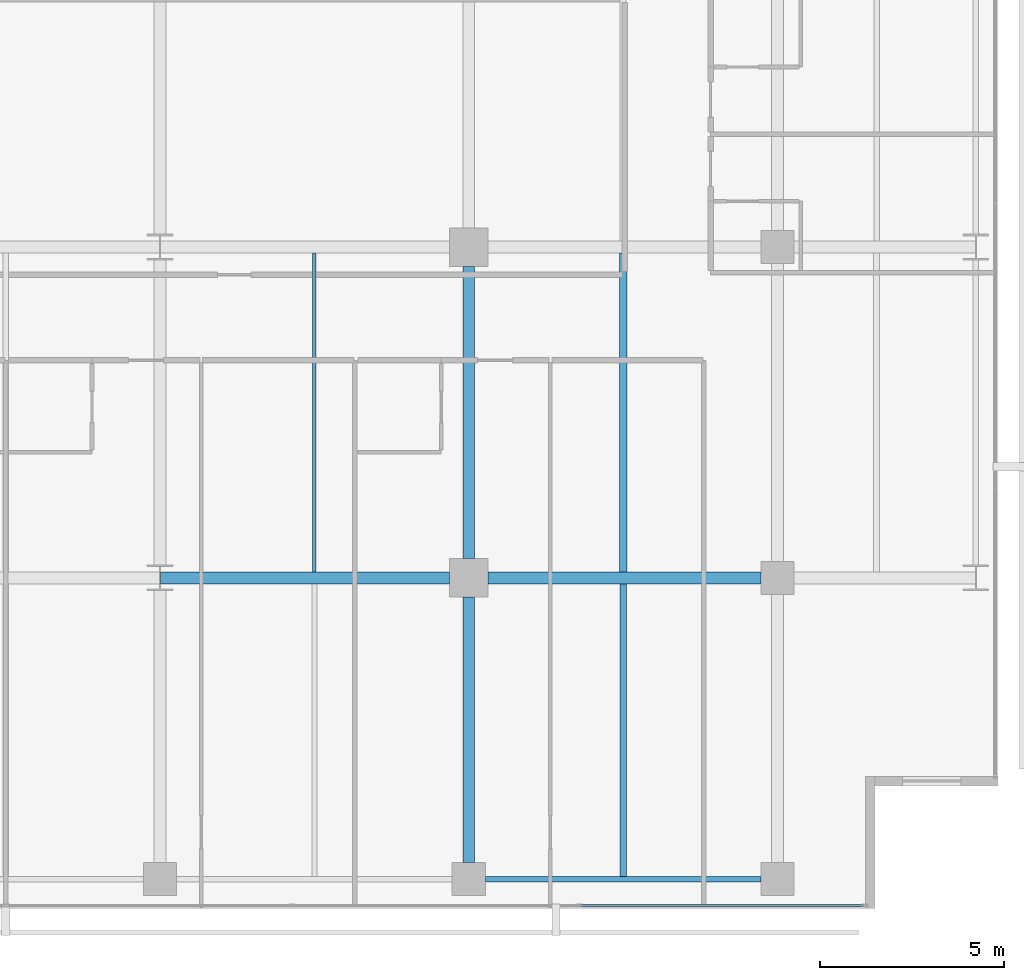
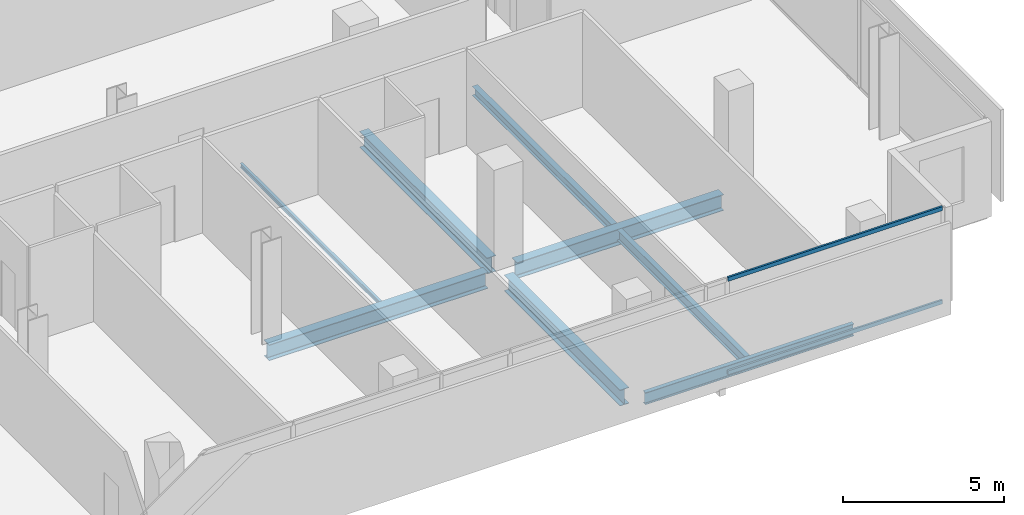
# One storey, part 15 of 40: 8 beams, 2 members, 1 element without a shape of its own.
"""IFC4 building model written with IfcOpenShell, lengths in metres."""

from ifc_helpers import new_model, si_unit, direction, frame, origin, origin_2d, place, context, subcontext, project, spatial, hollow_rectangle, i_section, extrude, material, layer, layer_set, material_profile, profile_set, type_object, element, aggregate, save


model = new_model("IFC4")

# Units and contexts
model_context = context("Model", 3, precision=1e-05, world=origin(), true_north=direction((0.0, 1.0)))
body_context = subcontext(model_context, "Body", "Model", "MODEL_VIEW")
ifc_project = project(units=[si_unit("LENGTHUNIT", "METRE"), si_unit("AREAUNIT", "SQUARE_METRE"), si_unit("VOLUMEUNIT", "CUBIC_METRE"), si_unit("PLANEANGLEUNIT", "RADIAN"), si_unit("MASSUNIT", "GRAM", prefix="KILO")], contexts=[model_context])

# Site, building, storey
site_placement = place(None, origin())
site = spatial("IfcSite", under=ifc_project, at=site_placement, CompositionType="ELEMENT")
building_placement = place(site_placement, origin())
building = spatial("IfcBuilding", under=site, at=building_placement, Name="Maruvema Waterfront Hotel and Observation Tower", CompositionType="ELEMENT")
storey_placement = place(building_placement, frame((0.0, 0.0, 100.10009765625)))
storey = spatial("IfcBuildingStorey", under=building, at=storey_placement, Name="L24", CompositionType="ELEMENT", Elevation=100.10009765625)

# Curtain wall, members
ifc_material_1 = material(Name="Anodised bronze aluminium and solar-control low-E IGU", Category="aluminium")
ifc_layer = layer(ifc_material_1, 0.159912109375, Name="Zone 1 Bronze Inner Thermal Curtain Wall System CW-02")
ifc_layer_set = layer_set([ifc_layer], Name="Anodised bronze aluminium and solar-control low-E IGU")
curtain_wall_type = type_object("IfcCurtainWallType", Name="Zone 1 Bronze Inner Thermal Curtain Wall System CW-02", PredefinedType="USERDEFINED", material=ifc_layer_set)
curtain_wall_placement = place(storey_placement, origin())
curtain_wall = element("IfcCurtainWall", 1, at=curtain_wall_placement, inside=storey, type_object=curtain_wall_type, Name="L24 Curtain Wall CW-L24-S", ObjectType="UNITISED CURTAIN WALL", PredefinedType="USERDEFINED")
ifc_material_2 = material(Name="Anodised architectural bronze aluminium", Category="aluminium")
ifc_material_profile_1 = material_profile(ifc_material_2, hollow_rectangle(XDim=0.070068359375, YDim=0.14990234375, WallThickness=0.00390625, at=origin_2d()), Name="ALU-T70x150")
ifc_profile_set_1 = profile_set([ifc_material_profile_1], Name="Anodised architectural bronze aluminium")
member_type = type_object("IfcMemberType", Name="Curtain Wall Horizontal Transom ALU-T70x150", PredefinedType="USERDEFINED", material=ifc_profile_set_1)
member_1_placement = place(storey_placement, frame((53.429931640625, 0.080078125, 0.02978515625), z_axis=(1.0, 0.0, 0.0), x_axis=(0.0, 1.0, 0.0)))
member_1 = element("IfcMember", 2, at=member_1_placement, type_object=member_type, Name="CW-02 transom 6.1", ObjectType="TRANSOM", PredefinedType="USERDEFINED", context=body_context, shape_type="SweptSolid", body=[
    extrude(hollow_rectangle(XDim=0.070068359375, YDim=0.14990234375, WallThickness=0.00390625, at=origin_2d()), origin(), (0.0, 0.0, 1.0), 7.7099609375),
])
member_2_placement = place(storey_placement, frame((53.429931640625, 0.080078125, 3.579833984375), z_axis=(1.0, 0.0, 0.0), x_axis=(0.0, 1.0, 0.0)))
member_2 = element("IfcMember", 3, at=member_2_placement, type_object=member_type, Name="CW-02 transom 6.2", ObjectType="TRANSOM", PredefinedType="USERDEFINED", context=body_context, shape_type="SweptSolid", body=[
    extrude(hollow_rectangle(XDim=0.070068359375, YDim=0.14990234375, WallThickness=0.00390625, at=origin_2d()), origin(), (0.0, 0.0, 1.0), 7.7099609375),
])
aggregate(curtain_wall, [member_1, member_2])

# Beams
ifc_material_3 = material(Name="Steel ASTM A572 Grade 50", Category="steel")
ifc_material_profile_2 = material_profile(ifc_material_3, i_section(OverallWidth=0.153076171875, OverallDepth=0.455078125, WebThickness=0.008056640625, FlangeThickness=0.01318359375, FilletRadius=0.014892578125, at=origin_2d()), Name="W460x60.0")
ifc_profile_set_2 = profile_set([ifc_material_profile_2], Name="Steel ASTM A572 Grade 50")
beam_type_1 = type_object("IfcBeamType", Name="Perimeter Spandrel Beam W460x60.0", PredefinedType="SPANDREL", material=ifc_profile_set_2)
beam_1_placement = place(storey_placement, frame((50.85009765625, 0.800048828125, -0.467529296875), z_axis=(1.0, 0.0, 0.0), x_axis=(0.0, 1.0, 0.0)))
element("IfcBeam", 4, at=beam_1_placement, inside=storey, type_object=beam_type_1, Name="L24 Floor Girder EW-05", PredefinedType="SPANDREL", context=body_context, shape_type="SweptSolid", body=[
    extrude(i_section(OverallWidth=0.153076171875, OverallDepth=0.455078125, WebThickness=0.008056640625, FlangeThickness=0.01318359375, FilletRadius=0.014892578125, at=origin_2d()), origin(), (0.0, 0.0, 1.0), 7.5),
])
ifc_material_4 = material(Name="Steel ASTM A572 Grade 50", Category="steel")
ifc_material_profile_3 = material_profile(ifc_material_4, i_section(OverallWidth=0.323974609375, OverallDepth=0.611083984375, WebThickness=0.0126953125, FlangeThickness=0.01904296875, FilletRadius=0.01806640625, at=origin_2d()), Name="W610x155.0")
ifc_profile_set_3 = profile_set([ifc_material_profile_3], Name="Steel ASTM A572 Grade 50")
beam_type_2 = type_object("IfcBeamType", Name="Primary Floor Girder W610x155.0", PredefinedType="BEAM", material=ifc_profile_set_3)
beam_2_placement = place(storey_placement, frame((42.013916015625, 9.0, -0.545654296875), z_axis=(1.0, 0.0, 0.0), x_axis=(0.0, 1.0, 0.0)))
element("IfcBeam", 5, at=beam_2_placement, inside=storey, type_object=beam_type_2, Name="L24 Floor Girder EW-10", PredefinedType="BEAM", context=body_context, shape_type="SweptSolid", body=[
    extrude(i_section(OverallWidth=0.323974609375, OverallDepth=0.611083984375, WebThickness=0.0126953125, FlangeThickness=0.01904296875, FilletRadius=0.01806640625, at=origin_2d()), origin(), (0.0, 0.0, 1.0), 7.861083984375),
])
beam_3_placement = place(storey_placement, frame((50.925048828125, 9.0, -0.545654296875), z_axis=(1.0, 0.0, 0.0), x_axis=(0.0, 1.0, 0.0)))
element("IfcBeam", 6, at=beam_3_placement, inside=storey, type_object=beam_type_2, Name="L24 Floor Girder EW-11", PredefinedType="BEAM", context=body_context, shape_type="SweptSolid", body=[
    extrude(i_section(OverallWidth=0.323974609375, OverallDepth=0.611083984375, WebThickness=0.0126953125, FlangeThickness=0.01904296875, FilletRadius=0.01806640625, at=origin_2d()), origin(), (0.0, 0.0, 1.0), 7.425048828125),
])
beam_4_placement = place(storey_placement, frame((50.39990234375, 1.25, -0.545654296875), z_axis=(0.0, 1.0, 0.0), x_axis=(-1.0, 0.0, 0.0)))
element("IfcBeam", 7, at=beam_4_placement, inside=storey, type_object=beam_type_2, Name="L24 Floor Girder NS-22", PredefinedType="BEAM", context=body_context, shape_type="SweptSolid", body=[
    extrude(i_section(OverallWidth=0.323974609375, OverallDepth=0.611083984375, WebThickness=0.0126953125, FlangeThickness=0.01904296875, FilletRadius=0.01806640625, at=origin_2d()), origin(), (0.0, 0.0, 1.0), 7.22509765625),
])
beam_5_placement = place(storey_placement, frame((50.39990234375, 9.52490234375, -0.545654296875), z_axis=(0.0, 1.0, 0.0), x_axis=(-1.0, 0.0, 0.0)))
element("IfcBeam", 8, at=beam_5_placement, inside=storey, type_object=beam_type_2, Name="L24 Floor Girder NS-23", PredefinedType="BEAM", context=body_context, shape_type="SweptSolid", body=[
    extrude(i_section(OverallWidth=0.323974609375, OverallDepth=0.611083984375, WebThickness=0.0126953125, FlangeThickness=0.01904296875, FilletRadius=0.01806640625, at=origin_2d()), origin(), (0.0, 0.0, 1.0), 7.9501953125),
])
ifc_material_5 = material(Name="Steel ASTM A572 Grade 50", Category="steel")
ifc_material_profile_4 = material_profile(ifc_material_5, i_section(OverallWidth=0.10009765625, OverallDepth=0.153076171875, WebThickness=0.005859375, FlangeThickness=0.007080078125, FilletRadius=0.008056640625, at=origin_2d()), Name="W150x18.0")
ifc_profile_set_4 = profile_set([ifc_material_profile_4], Name="Steel ASTM A572 Grade 50")
beam_type_3 = type_object("IfcBeamType", Name="Secondary Floor Joist W150x18.0", PredefinedType="JOIST", material=ifc_profile_set_4)
beam_6_placement = place(storey_placement, frame((46.199951171875, 9.162109375, -0.316650390625), z_axis=(0.0, 1.0, 0.0), x_axis=(-1.0, 0.0, 0.0)))
element("IfcBeam", 9, at=beam_6_placement, inside=storey, type_object=beam_type_3, Name="L24 Secondary Floor Joist JS-15", PredefinedType="JOIST", context=body_context, shape_type="SweptSolid", body=[
    extrude(i_section(OverallWidth=0.10009765625, OverallDepth=0.153076171875, WebThickness=0.005859375, FlangeThickness=0.007080078125, FilletRadius=0.008056640625, at=origin_2d()), origin(), (0.0, 0.0, 1.0), 8.67578125),
])
ifc_material_6 = material(Name="Steel ASTM A572 Grade 50", Category="steel")
ifc_material_profile_5 = material_profile(ifc_material_6, i_section(OverallWidth=0.202880859375, OverallDepth=0.346923828125, WebThickness=0.0078125, FlangeThickness=0.013427734375, FilletRadius=0.014892578125, at=origin_2d()), Name="W360x64.0")
ifc_profile_set_5 = profile_set([ifc_material_profile_5], Name="Steel ASTM A572 Grade 50")
beam_type_4 = type_object("IfcBeamType", Name="Secondary Floor Joist W360x64.0", PredefinedType="JOIST", material=ifc_profile_set_5)
beam_7_placement = place(storey_placement, frame((54.60009765625, 9.162109375, -0.41357421875), z_axis=(0.0, 1.0, 0.0), x_axis=(-1.0, 0.0, 0.0)))
element("IfcBeam", 10, at=beam_7_placement, inside=storey, type_object=beam_type_4, Name="L24 Secondary Floor Joist JS-17", PredefinedType="JOIST", context=body_context, shape_type="SweptSolid", body=[
    extrude(i_section(OverallWidth=0.202880859375, OverallDepth=0.346923828125, WebThickness=0.0078125, FlangeThickness=0.013427734375, FilletRadius=0.014892578125, at=origin_2d()), origin(), (0.0, 0.0, 1.0), 8.67578125),
])
ifc_material_7 = material(Name="Steel ASTM A572 Grade 50", Category="steel")
ifc_material_profile_6 = material_profile(ifc_material_7, i_section(OverallWidth=0.177001953125, OverallDepth=0.403076171875, WebThickness=0.007568359375, FlangeThickness=0.010986328125, FilletRadius=0.014892578125, at=origin_2d()), Name="W410x53.0")
ifc_profile_set_6 = profile_set([ifc_material_profile_6], Name="Steel ASTM A572 Grade 50")
beam_type_5 = type_object("IfcBeamType", Name="Secondary Floor Joist W410x53.0", PredefinedType="JOIST", material=ifc_profile_set_6)
beam_8_placement = place(storey_placement, frame((54.60009765625, 0.87646484375, -0.441650390625), z_axis=(0.0, 1.0, 0.0), x_axis=(-1.0, 0.0, 0.0)))
element("IfcBeam", 11, at=beam_8_placement, inside=storey, type_object=beam_type_5, Name="L24 Secondary Floor Joist JS-16", PredefinedType="JOIST", context=body_context, shape_type="SweptSolid", body=[
    extrude(i_section(OverallWidth=0.177001953125, OverallDepth=0.403076171875, WebThickness=0.007568359375, FlangeThickness=0.010986328125, FilletRadius=0.014892578125, at=origin_2d()), origin(), (0.0, 0.0, 1.0), 7.96142578125),
])

save(model, "model.ifc")
